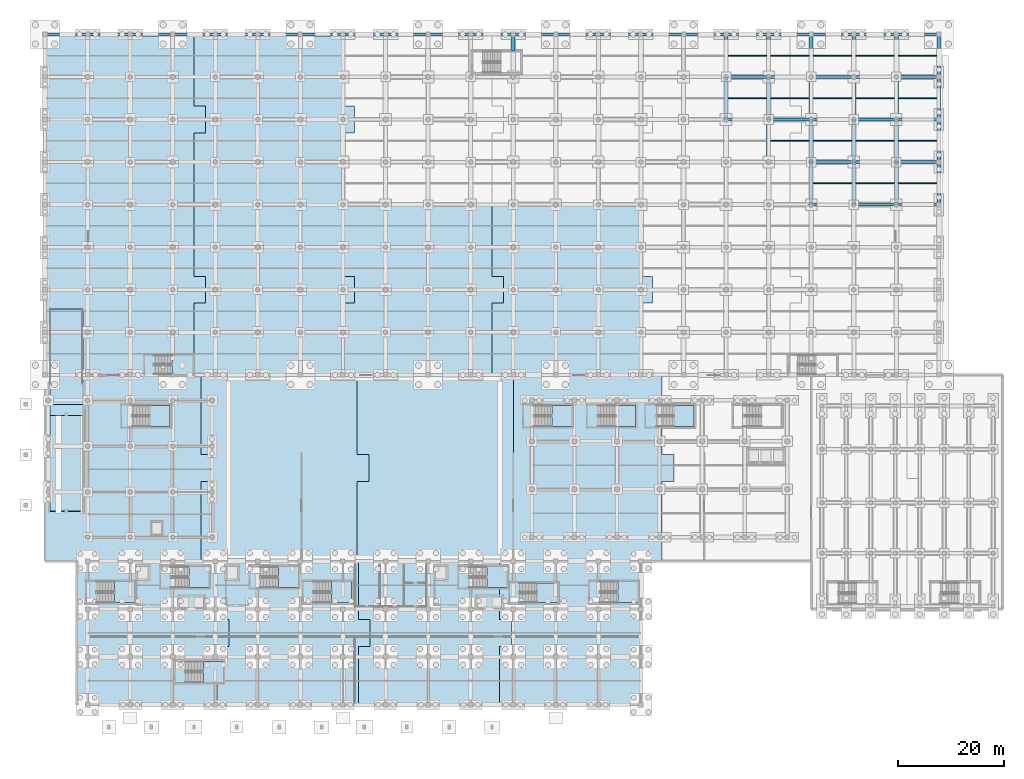
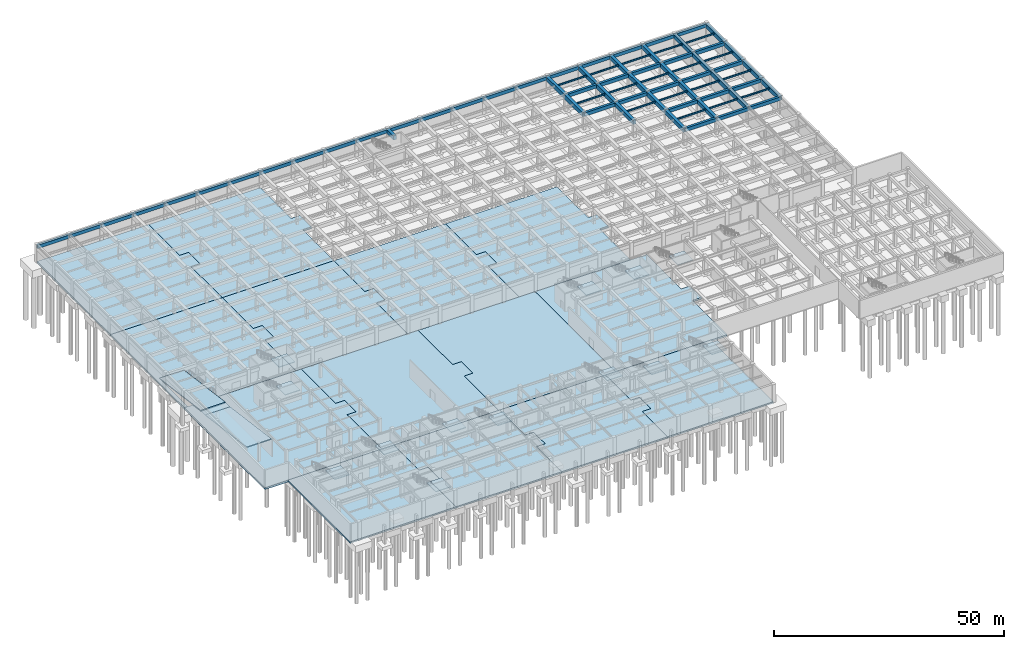
# One storey, part 23 of 48: 76 beams, 30 slabs, 13 elements without a shape of their own.
"""IFC4 building model written with IfcOpenShell, lengths in metres."""

import ifcopenshell
import ifcopenshell.guid

model = None  # the IFC model being written
_history = None  # IfcOwnerHistory: only IFC2X3 demands one
_inside = {}  # id of a spatial element -> (the spatial element, [elements in it])
_under = {}  # id of a project, library or spatial element -> (it, [spatial elements below it])
_declared = {}  # id of a project -> (the project, [libraries it declares])
_typed = {}  # id of a type object -> (the type object, [elements of that type])
_made_of = {}  # id of a material, layer set ... -> (it, [elements and type objects made of it])


def new_model(schema):
    """Start an empty IFC model of exactly this schema.

    Asked for "IFC4X3", IfcOpenShell would pick the latest addendum, in which some entities
    have other attributes; the version numbers below select the first issue.
    IFC2X3 requires an IfcOwnerHistory on every rooted entity: one is made here for all.
    """
    global model, _history
    if schema == "IFC4X3":
        model = ifcopenshell.file(schema_version=(4, 3, 0, 0))
    else:
        model = ifcopenshell.file(schema=schema)
    _inside.clear()
    _under.clear()
    _declared.clear()
    _typed.clear()
    _made_of.clear()
    _history = None
    if model.schema == "IFC2X3":
        org = make("IfcOrganization", Name="unknown")
        user = make(
            "IfcPersonAndOrganization",
            ThePerson=make("IfcPerson", FamilyName="unknown"),
            TheOrganization=org,
        )
        app = make(
            "IfcApplication",
            ApplicationDeveloper=org,
            Version="unknown",
            ApplicationFullName="unknown",
            ApplicationIdentifier="unknown",
        )
        _history = make(
            "IfcOwnerHistory",
            OwningUser=user,
            OwningApplication=app,
            ChangeAction="ADDED",
            CreationDate=0,
        )
    return model


def make(cls, **values):
    """One entity of the class cls with the attributes given. An attribute that is None is left unset."""
    return model.create_entity(
        cls, **{name: value for name, value in values.items() if value is not None}
    )


def rooted(cls, **values):
    """An entity with a GlobalId (a new one), such as an element, a storey or a relation."""
    return make(cls, GlobalId=ifcopenshell.guid.new(), OwnerHistory=_history, **values)


def si_unit(unit_type, name, prefix=None):
    """IfcSIUnit, for example si_unit("LENGTHUNIT", "METRE", prefix="MILLI")."""
    return make("IfcSIUnit", UnitType=unit_type, Prefix=prefix, Name=name)


def assignment(units):
    """IfcUnitAssignment: the units of a project."""
    return None if units is None else make("IfcUnitAssignment", Units=units)


def point(xyz):
    """IfcCartesianPoint."""
    return None if xyz is None else make("IfcCartesianPoint", Coordinates=xyz)


def direction(xyz):
    """IfcDirection."""
    return None if xyz is None else make("IfcDirection", DirectionRatios=xyz)


def frame(location, z_axis=None, x_axis=None):
    """IfcAxis2Placement3D, a coordinate frame: its origin and axes. An axis left out is left unset."""
    return make(
        "IfcAxis2Placement3D",
        Location=point(location),
        Axis=direction(z_axis),
        RefDirection=direction(x_axis),
    )


def frame_2d(location, x_axis=None):
    """IfcAxis2Placement2D, a coordinate frame in the plane: its origin and x axis."""
    return make(
        "IfcAxis2Placement2D", Location=point(location), RefDirection=direction(x_axis)
    )


def origin():
    """The frame at (0, 0, 0) with its axes left unset."""
    return frame((0.0, 0.0, 0.0))


def origin_2d():
    """The frame at (0, 0) in the plane with its x axis left unset."""
    return frame_2d((0.0, 0.0))


def place(relative_to, where):
    """IfcLocalPlacement: puts the frame where relative to a parent placement (None: the world)."""
    return make(
        "IfcLocalPlacement", PlacementRelTo=relative_to, RelativePlacement=where
    )


def context(
    kind, dimensions, precision=None, world=None, true_north=None, identifier=None
):
    """IfcGeometricRepresentationContext, for example the 3D "Model" context."""
    return make(
        "IfcGeometricRepresentationContext",
        ContextIdentifier=identifier,
        ContextType=kind,
        CoordinateSpaceDimension=dimensions,
        Precision=precision,
        WorldCoordinateSystem=world,
        TrueNorth=true_north,
    )


def subcontext(parent, identifier, kind, view, scale=None):
    """IfcGeometricRepresentationSubContext, for example "Body" below "Model"."""
    return make(
        "IfcGeometricRepresentationSubContext",
        ContextIdentifier=identifier,
        ContextType=kind,
        ParentContext=parent,
        TargetScale=scale,
        TargetView=view,
    )


def project(units=None, contexts=None):
    """IfcProject with its units and contexts."""
    return rooted(
        "IfcProject",
        Name="project",
        RepresentationContexts=contexts,
        UnitsInContext=assignment(units),
    )


def spatial(cls, under=None, at=None, **own):
    """A site, building, storey or space (cls), placed at a placement, below another one or the project."""
    s = rooted(cls, ObjectPlacement=at, **own)
    if under is not None:
        _under.setdefault(under.id(), (under, []))[1].append(s)
    return s


def polyline(points):
    """IfcPolyline through the points."""
    return make("IfcPolyline", Points=[point(p) for p in points])


def profile(cls, at=None, kind="AREA", **sizes):
    """A parametric profile (cls). Its sizes go by their IFC names, for example OverallWidth=200.0."""
    return make(cls, ProfileType=kind, Position=at, **sizes)


def rectangle(**sizes):
    """IfcRectangleProfileDef."""
    return profile("IfcRectangleProfileDef", **sizes)


def i_section(**sizes):
    """IfcIShapeProfileDef."""
    return profile("IfcIShapeProfileDef", **sizes)


def outline(outer, holes=None, kind="AREA"):
    """IfcArbitraryClosedProfileDef: a profile drawn as a closed curve; with holes, ...WithVoids."""
    if holes is None:
        return make("IfcArbitraryClosedProfileDef", ProfileType=kind, OuterCurve=outer)
    return make(
        "IfcArbitraryProfileDefWithVoids",
        ProfileType=kind,
        OuterCurve=outer,
        InnerCurves=holes,
    )


def extrude(swept, where, along, depth):
    """IfcExtrudedAreaSolid: the profile swept, set in the frame where, extruded along a direction by depth."""
    return make(
        "IfcExtrudedAreaSolid",
        SweptArea=swept,
        Position=where,
        ExtrudedDirection=direction(along),
        Depth=depth,
    )


def shape(context_of_items, identifier, shape_type, items):
    """IfcShapeRepresentation: the items that make up one representation, for example the "Body"."""
    return make(
        "IfcShapeRepresentation",
        ContextOfItems=context_of_items,
        RepresentationIdentifier=identifier,
        RepresentationType=shape_type,
        Items=items,
    )


def material(Name=None, Category=None):
    """IfcMaterial."""
    return make("IfcMaterial", Name=Name, Category=Category)


def layer(
    of_material, thickness, ventilated=None, Name=None, Category=None, Priority=None
):
    """IfcMaterialLayer: one layer of a wall or slab, of a material (None: an air gap)."""
    return make(
        "IfcMaterialLayer",
        Material=of_material,
        LayerThickness=thickness,
        IsVentilated=ventilated,
        Name=Name,
        Category=Category,
        Priority=Priority,
    )


def layer_set(layers, Name=None):
    """IfcMaterialLayerSet."""
    return make("IfcMaterialLayerSet", MaterialLayers=layers, LayerSetName=Name)


def material_profile(
    of_material, cross_section, Name=None, Category=None, Priority=None
):
    """IfcMaterialProfile: a cross section and its material."""
    return make(
        "IfcMaterialProfile",
        Name=Name,
        Material=of_material,
        Profile=cross_section,
        Priority=Priority,
        Category=Category,
    )


def profile_set(profiles, Name=None, composite=None):
    """IfcMaterialProfileSet."""
    return make(
        "IfcMaterialProfileSet",
        Name=Name,
        MaterialProfiles=profiles,
        CompositeProfile=composite,
    )


def made_of(thing, what):
    """Note that an element or type object is made of a material, layer set ...; save() writes the relation."""
    if what is not None:
        _made_of.setdefault(what.id(), (what, []))[1].append(thing)
    return thing


def type_object(cls, material=None, **own):
    """A type object (cls), such as IfcWallType, which elements share."""
    return made_of(rooted(cls, **own), material)


def element(
    cls,
    number,
    at=None,
    inside=None,
    cuts=None,
    type_object=None,
    material=None,
    context=None,
    identifier="Body",
    shape_type=None,
    held_by="IfcProductDefinitionShape",
    body=None,
    shapes=None,
    **own,
):
    """One element of the class cls, such as IfcWall. Its Tag is "e" and its number.

    at: its placement. inside: the storey or other place that contains it. cuts: it is an
    opening in that element (IfcRelVoidsElement). A single representation is given by context,
    identifier, shape_type and body (its items); several are given by shapes. held_by: the class
    of the entity that holds the representations. save() writes the other relations.
    """
    e = rooted(cls, Tag="e%d" % number, ObjectPlacement=at, **own)
    if body is not None:
        shapes = [shape(context, identifier, shape_type, body)]
    if shapes is not None:
        e.Representation = make(held_by, Representations=shapes)
    if inside is not None:
        _inside.setdefault(inside.id(), (inside, []))[1].append(e)
    if cuts is not None:
        rooted(
            "IfcRelVoidsElement", RelatingBuildingElement=cuts, RelatedOpeningElement=e
        )
    if type_object is not None:
        _typed.setdefault(type_object.id(), (type_object, []))[1].append(e)
    return made_of(e, material)


def aggregate(whole, parts):
    """IfcRelAggregates: a whole, such as a stair, and the parts it consists of."""
    return rooted("IfcRelAggregates", RelatingObject=whole, RelatedObjects=parts)


def save(model, path):
    """Write the relations noted so far, then the file.

    IfcRelAggregates (storeys below a building ...), IfcRelContainedInSpatialStructure (elements
    in a storey), IfcRelDefinesByType, IfcRelAssociatesMaterial and IfcRelDeclares: one each for
    every whole, place, type object, material and project.
    """
    for whole, parts in _under.values():
        aggregate(whole, parts)
    for where, things in _inside.values():
        rooted(
            "IfcRelContainedInSpatialStructure",
            RelatedElements=things,
            RelatingStructure=where,
        )
    for kind, things in _typed.values():
        rooted("IfcRelDefinesByType", RelatedObjects=things, RelatingType=kind)
    for what, things in _made_of.values():
        rooted("IfcRelAssociatesMaterial", RelatedObjects=things, RelatingMaterial=what)
    for by, libraries in _declared.values():
        rooted("IfcRelDeclares", RelatingContext=by, RelatedDefinitions=libraries)
    model.write(path)


model = new_model("IFC4")

# Units and contexts
model_context = context("Model", 3, precision=1e-05, world=origin(), true_north=direction((0.0, 1.0)))
body_context = subcontext(model_context, "Body", "Model", "MODEL_VIEW")
ifc_project = project(units=[si_unit("LENGTHUNIT", "METRE"), si_unit("AREAUNIT", "SQUARE_METRE"), si_unit("VOLUMEUNIT", "CUBIC_METRE"), si_unit("PLANEANGLEUNIT", "RADIAN"), si_unit("MASSUNIT", "GRAM", prefix="KILO")], contexts=[model_context])

# Site, building, storey
site_placement = place(None, origin())
site = spatial("IfcSite", under=ifc_project, at=site_placement, CompositionType="ELEMENT")
building_placement = place(site_placement, origin())
building = spatial("IfcBuilding", under=site, at=building_placement, Name="Tlacozan Convention Centre", CompositionType="ELEMENT")
storey_placement = place(building_placement, frame((0.0, 0.0, -4.800048828125)))
storey = spatial("IfcBuildingStorey", under=building, at=storey_placement, Name="B01", CompositionType="ELEMENT", Elevation=-4.800048828125)

# Beams
ifc_material_1 = material(Name="Concrete C40/50", Category="concrete")
ifc_material_profile_1 = material_profile(ifc_material_1, rectangle(XDim=0.60009765625, YDim=0.89990234375, at=origin_2d()), Name="RC 600x900")
ifc_profile_set_1 = profile_set([ifc_material_profile_1], Name="Concrete C40/50")
beam_type_1 = type_object("IfcBeamType", Name="Girder RC 600x900", PredefinedType="BEAM", material=ifc_profile_set_1)
for number, where, z_axis, x_axis, name in (
    (1, (0.0, 126.0, 3.969970703125), (1.0, 0.0, 0.0), (0.0, 1.0, 0.0), "B01 Girder RC 600x900 953"),
    (2, (8.0, 126.0, 3.969970703125), (1.0, 0.0, 0.0), (0.0, 1.0, 0.0), "B01 Girder RC 600x900 970"),
    (3, (16.0, 126.0, 3.969970703125), (1.0, 0.0, 0.0), (0.0, 1.0, 0.0), "B01 Girder RC 600x900 987"),
    (4, (24.0, 126.0, 3.969970703125), (1.0, 0.0, 0.0), (0.0, 1.0, 0.0), "B01 Girder RC 600x900 1004"),
    (5, (32.0, 126.0, 3.969970703125), (1.0, 0.0, 0.0), (0.0, 1.0, 0.0), "B01 Girder RC 600x900 1021"),
    (6, (40.0, 126.0, 3.969970703125), (1.0, 0.0, 0.0), (0.0, 1.0, 0.0), "B01 Girder RC 600x900 1038"),
    (7, (48.0, 126.0, 3.969970703125), (1.0, 0.0, 0.0), (0.0, 1.0, 0.0), "B01 Girder RC 600x900 1055"),
    (8, (56.0, 126.0, 3.969970703125), (1.0, 0.0, 0.0), (0.0, 1.0, 0.0), "B01 Girder RC 600x900 1072"),
    (9, (64.0, 126.0, 3.969970703125), (1.0, 0.0, 0.0), (0.0, 1.0, 0.0), "B01 Girder RC 600x900 1089"),
    (10, (72.0, 126.0, 3.969970703125), (1.0, 0.0, 0.0), (0.0, 1.0, 0.0), "B01 Girder RC 600x900 1106"),
    (11, (80.0, 126.0, 3.969970703125), (1.0, 0.0, 0.0), (0.0, 1.0, 0.0), "B01 Girder RC 600x900 1123"),
    (12, (88.0, 126.0, 3.969970703125), (1.0, 0.0, 0.0), (0.0, 1.0, 0.0), "B01 Girder RC 600x900 1139"),
    (13, (96.0, 126.0, 3.969970703125), (1.0, 0.0, 0.0), (0.0, 1.0, 0.0), "B01 Girder RC 600x900 1156"),
    (14, (104.0, 126.0, 3.969970703125), (1.0, 0.0, 0.0), (0.0, 1.0, 0.0), "B01 Girder RC 600x900 1173"),
    (15, (112.0, 126.0, 3.969970703125), (1.0, 0.0, 0.0), (0.0, 1.0, 0.0), "B01 Girder RC 600x900 1190"),
    (16, (120.0, 126.0, 3.969970703125), (1.0, 0.0, 0.0), (0.0, 1.0, 0.0), "B01 Girder RC 600x900 1207"),
    (17, (128.0, 110.0, 3.969970703125), (1.0, 0.0, 0.0), (0.0, 1.0, 0.0), "B01 Girder RC 600x900 1222"),
    (18, (128.0, 118.0, 3.969970703125), (1.0, 0.0, 0.0), (0.0, 1.0, 0.0), "B01 Girder RC 600x900 1223"),
    (19, (128.0, 126.0, 3.969970703125), (1.0, 0.0, 0.0), (0.0, 1.0, 0.0), "B01 Girder RC 600x900 1224"),
    (20, (136.0, 110.0, 3.969970703125), (1.0, 0.0, 0.0), (0.0, 1.0, 0.0), "B01 Girder RC 600x900 1239"),
    (21, (136.0, 118.0, 3.969970703125), (1.0, 0.0, 0.0), (0.0, 1.0, 0.0), "B01 Girder RC 600x900 1240"),
    (22, (136.0, 126.0, 3.969970703125), (1.0, 0.0, 0.0), (0.0, 1.0, 0.0), "B01 Girder RC 600x900 1241"),
    (23, (144.0, 94.0, 3.969970703125), (1.0, 0.0, 0.0), (0.0, 1.0, 0.0), "B01 Girder RC 600x900 1254"),
    (24, (144.0, 102.0, 3.969970703125), (1.0, 0.0, 0.0), (0.0, 1.0, 0.0), "B01 Girder RC 600x900 1255"),
    (25, (144.0, 110.0, 3.969970703125), (1.0, 0.0, 0.0), (0.0, 1.0, 0.0), "B01 Girder RC 600x900 1256"),
    (26, (144.0, 118.0, 3.969970703125), (1.0, 0.0, 0.0), (0.0, 1.0, 0.0), "B01 Girder RC 600x900 1257"),
    (27, (144.0, 126.0, 3.969970703125), (1.0, 0.0, 0.0), (0.0, 1.0, 0.0), "B01 Girder RC 600x900 1258"),
    (28, (152.0, 94.0, 3.969970703125), (1.0, 0.0, 0.0), (0.0, 1.0, 0.0), "B01 Girder RC 600x900 1271"),
    (29, (152.0, 102.0, 3.969970703125), (1.0, 0.0, 0.0), (0.0, 1.0, 0.0), "B01 Girder RC 600x900 1272"),
    (30, (152.0, 110.0, 3.969970703125), (1.0, 0.0, 0.0), (0.0, 1.0, 0.0), "B01 Girder RC 600x900 1273"),
    (31, (152.0, 118.0, 3.969970703125), (1.0, 0.0, 0.0), (0.0, 1.0, 0.0), "B01 Girder RC 600x900 1274"),
    (32, (152.0, 126.0, 3.969970703125), (1.0, 0.0, 0.0), (0.0, 1.0, 0.0), "B01 Girder RC 600x900 1275"),
    (33, (160.0, 94.0, 3.969970703125), (1.0, 0.0, 0.0), (0.0, 1.0, 0.0), "B01 Girder RC 600x900 1288"),
    (34, (160.0, 102.0, 3.969970703125), (1.0, 0.0, 0.0), (0.0, 1.0, 0.0), "B01 Girder RC 600x900 1289"),
    (35, (160.0, 110.0, 3.969970703125), (1.0, 0.0, 0.0), (0.0, 1.0, 0.0), "B01 Girder RC 600x900 1290"),
    (36, (160.0, 118.0, 3.969970703125), (1.0, 0.0, 0.0), (0.0, 1.0, 0.0), "B01 Girder RC 600x900 1291"),
    (37, (160.0, 126.0, 3.969970703125), (1.0, 0.0, 0.0), (0.0, 1.0, 0.0), "B01 Girder RC 600x900 1292"),
):
    element("IfcBeam", number, at=place(storey_placement, frame(where, z_axis=z_axis, x_axis=x_axis)), inside=storey, type_object=beam_type_1, Name=name, PredefinedType="BEAM", context=body_context, shape_type="SweptSolid", body=[
        extrude(rectangle(XDim=0.60009765625, YDim=0.89990234375, at=origin_2d()), origin(), (0.0, 0.0, 1.0), 8.0),
    ])
ifc_material_profile_2 = material_profile(ifc_material_1, rectangle(XDim=0.75, YDim=1.10009765625, at=origin_2d()), Name="RC 750x1100")
ifc_profile_set_2 = profile_set([ifc_material_profile_2], Name="Concrete C40/50")
beam_type_2 = type_object("IfcBeamType", Name="Girder RC 750x1100", PredefinedType="BEAM", material=ifc_profile_set_2)
beam_placement = place(storey_placement, frame((88.0, 122.919921875, 3.8701171875), z_axis=(0.0, 1.0, 0.0), x_axis=(-1.0, 0.0, 0.0)))
element("IfcBeam", 38, at=beam_placement, inside=storey, type_object=beam_type_2, Name="B01 Girder RC 750x1100 864", PredefinedType="BEAM", context=body_context, shape_type="SweptSolid", body=[
    extrude(rectangle(XDim=0.75, YDim=1.10009765625, at=origin_2d()), origin(), (0.0, 0.0, 1.0), 3.080078125),
])
for number, where, z_axis, x_axis, name in (
    (39, (128.0, 110.0, 3.8701171875), (0.0, 1.0, 0.0), (-1.0, 0.0, 0.0), "B01 Girder RC 750x1100 903"),
    (40, (128.0, 118.0, 3.8701171875), (0.0, 1.0, 0.0), (-1.0, 0.0, 0.0), "B01 Girder RC 750x1100 904"),
    (41, (136.0, 102.0, 3.8701171875), (0.0, 1.0, 0.0), (-1.0, 0.0, 0.0), "B01 Girder RC 750x1100 910"),
    (42, (136.0, 110.0, 3.8701171875), (0.0, 1.0, 0.0), (-1.0, 0.0, 0.0), "B01 Girder RC 750x1100 911"),
    (43, (136.0, 118.0, 3.8701171875), (0.0, 1.0, 0.0), (-1.0, 0.0, 0.0), "B01 Girder RC 750x1100 912"),
    (44, (144.0, 94.0, 3.8701171875), (0.0, 1.0, 0.0), (-1.0, 0.0, 0.0), "B01 Girder RC 750x1100 917"),
    (45, (144.0, 102.0, 3.8701171875), (0.0, 1.0, 0.0), (-1.0, 0.0, 0.0), "B01 Girder RC 750x1100 918"),
    (46, (144.0, 110.0, 3.8701171875), (0.0, 1.0, 0.0), (-1.0, 0.0, 0.0), "B01 Girder RC 750x1100 919"),
    (47, (144.0, 118.0, 3.8701171875), (0.0, 1.0, 0.0), (-1.0, 0.0, 0.0), "B01 Girder RC 750x1100 920"),
    (48, (152.0, 94.0, 3.8701171875), (0.0, 1.0, 0.0), (-1.0, 0.0, 0.0), "B01 Girder RC 750x1100 925"),
    (49, (152.0, 102.0, 3.8701171875), (0.0, 1.0, 0.0), (-1.0, 0.0, 0.0), "B01 Girder RC 750x1100 926"),
    (50, (152.0, 110.0, 3.8701171875), (0.0, 1.0, 0.0), (-1.0, 0.0, 0.0), "B01 Girder RC 750x1100 927"),
    (51, (152.0, 118.0, 3.8701171875), (0.0, 1.0, 0.0), (-1.0, 0.0, 0.0), "B01 Girder RC 750x1100 928"),
    (52, (160.0, 94.0, 3.8701171875), (0.0, 1.0, 0.0), (-1.0, 0.0, 0.0), "B01 Girder RC 750x1100 933"),
    (53, (160.0, 102.0, 3.8701171875), (0.0, 1.0, 0.0), (-1.0, 0.0, 0.0), "B01 Girder RC 750x1100 934"),
    (54, (160.0, 110.0, 3.8701171875), (0.0, 1.0, 0.0), (-1.0, 0.0, 0.0), "B01 Girder RC 750x1100 935"),
    (55, (160.0, 118.0, 3.8701171875), (0.0, 1.0, 0.0), (-1.0, 0.0, 0.0), "B01 Girder RC 750x1100 936"),
    (56, (168.0, 94.0, 3.8701171875), (0.0, 1.0, 0.0), (-1.0, 0.0, 0.0), "B01 Girder RC 750x1100 941"),
    (57, (168.0, 102.0, 3.8701171875), (0.0, 1.0, 0.0), (-1.0, 0.0, 0.0), "B01 Girder RC 750x1100 942"),
    (58, (168.0, 110.0, 3.8701171875), (0.0, 1.0, 0.0), (-1.0, 0.0, 0.0), "B01 Girder RC 750x1100 943"),
    (59, (168.0, 118.0, 3.8701171875), (0.0, 1.0, 0.0), (-1.0, 0.0, 0.0), "B01 Girder RC 750x1100 944"),
):
    element("IfcBeam", number, at=place(storey_placement, frame(where, z_axis=z_axis, x_axis=x_axis)), inside=storey, type_object=beam_type_2, Name=name, PredefinedType="BEAM", context=body_context, shape_type="SweptSolid", body=[
        extrude(rectangle(XDim=0.75, YDim=1.10009765625, at=origin_2d()), origin(), (0.0, 0.0, 1.0), 8.0),
    ])
ifc_material_2 = material(Name="Steel ASTM A992 Grade 50", Category="steel")
ifc_material_profile_3 = material_profile(ifc_material_2, i_section(OverallWidth=0.19189453125, OverallDepth=0.462890625, WebThickness=0.010498046875, FlangeThickness=0.017578125, FilletRadius=0.010986328125, at=origin_2d()), Name="IR 457x89.3")
ifc_profile_set_3 = profile_set([ifc_material_profile_3], Name="Steel ASTM A992 Grade 50")
beam_type_3 = type_object("IfcBeamType", Name="Secondary Joist IR 457x89.3", PredefinedType="JOIST", material=ifc_profile_set_3)
for number, where, z_axis, x_axis, name in (
    (60, (128.373046875, 114.0, 4.1884765625), (1.0, 0.0, 0.0), (0.0, 1.0, 0.0), "B01 Secondary Joist IR 457x89.3 1231"),
    (61, (128.373046875, 122.0, 4.1884765625), (1.0, 0.0, 0.0), (0.0, 1.0, 0.0), "B01 Secondary Joist IR 457x89.3 1232"),
    (62, (136.373046875, 106.0, 4.1884765625), (1.0, 0.0, 0.0), (0.0, 1.0, 0.0), "B01 Secondary Joist IR 457x89.3 1247"),
    (63, (136.373046875, 114.0, 4.1884765625), (1.0, 0.0, 0.0), (0.0, 1.0, 0.0), "B01 Secondary Joist IR 457x89.3 1248"),
    (64, (136.373046875, 122.0, 4.1884765625), (1.0, 0.0, 0.0), (0.0, 1.0, 0.0), "B01 Secondary Joist IR 457x89.3 1249"),
    (65, (144.373046875, 98.0, 4.1884765625), (1.0, 0.0, 0.0), (0.0, 1.0, 0.0), "B01 Secondary Joist IR 457x89.3 1263"),
    (66, (144.373046875, 106.0, 4.1884765625), (1.0, 0.0, 0.0), (0.0, 1.0, 0.0), "B01 Secondary Joist IR 457x89.3 1264"),
    (67, (144.373046875, 114.0, 4.1884765625), (1.0, 0.0, 0.0), (0.0, 1.0, 0.0), "B01 Secondary Joist IR 457x89.3 1265"),
    (68, (144.373046875, 122.0, 4.1884765625), (1.0, 0.0, 0.0), (0.0, 1.0, 0.0), "B01 Secondary Joist IR 457x89.3 1266"),
    (69, (152.373046875, 98.0, 4.1884765625), (1.0, 0.0, 0.0), (0.0, 1.0, 0.0), "B01 Secondary Joist IR 457x89.3 1280"),
    (70, (152.373046875, 106.0, 4.1884765625), (1.0, 0.0, 0.0), (0.0, 1.0, 0.0), "B01 Secondary Joist IR 457x89.3 1281"),
    (71, (152.373046875, 114.0, 4.1884765625), (1.0, 0.0, 0.0), (0.0, 1.0, 0.0), "B01 Secondary Joist IR 457x89.3 1282"),
    (72, (152.373046875, 122.0, 4.1884765625), (1.0, 0.0, 0.0), (0.0, 1.0, 0.0), "B01 Secondary Joist IR 457x89.3 1283"),
    (73, (160.373046875, 98.0, 4.1884765625), (1.0, 0.0, 0.0), (0.0, 1.0, 0.0), "B01 Secondary Joist IR 457x89.3 1297"),
    (74, (160.373046875, 106.0, 4.1884765625), (1.0, 0.0, 0.0), (0.0, 1.0, 0.0), "B01 Secondary Joist IR 457x89.3 1298"),
    (75, (160.373046875, 114.0, 4.1884765625), (1.0, 0.0, 0.0), (0.0, 1.0, 0.0), "B01 Secondary Joist IR 457x89.3 1299"),
    (76, (160.373046875, 122.0, 4.1884765625), (1.0, 0.0, 0.0), (0.0, 1.0, 0.0), "B01 Secondary Joist IR 457x89.3 1300"),
):
    element("IfcBeam", number, at=place(storey_placement, frame(where, z_axis=z_axis, x_axis=x_axis)), inside=storey, type_object=beam_type_3, Name=name, PredefinedType="JOIST", context=body_context, shape_type="SweptSolid", body=[
        extrude(i_section(OverallWidth=0.19189453125, OverallDepth=0.462890625, WebThickness=0.010498046875, FlangeThickness=0.017578125, FilletRadius=0.010986328125, at=origin_2d()), origin(), (0.0, 0.0, 1.0), 7.25390625),
    ])

# Slabs
ifc_material_3 = material(Name="Concrete C35/45", Category="concrete")
ifc_layer_1 = layer(ifc_material_3, 0.449951171875)
ifc_layer_set_1 = layer_set([ifc_layer_1], Name="Concrete C35/45")
slab_type_1 = type_object("IfcSlabType", Name="Basement Base Slab 450", PredefinedType="BASESLAB", material=ifc_layer_set_1)
slab_1_placement = place(storey_placement, frame((0.0, 0.0, -0.449951171875)))
element("IfcSlab", 77, at=slab_1_placement, inside=storey, type_object=slab_type_1, Name="B01 Basement Base Slab 450 1", PredefinedType="BASESLAB", context=body_context, shape_type="SweptSolid", body=[
    extrude(outline(polyline([(5.800048828125, 0.0), (5.800048828125, 27.0), (32.35009765625, 27.0), (32.35009765625, 16.0), (34.550048828125, 16.0), (34.550048828125, 11.0), (32.35009765625, 11.0), (32.35009765625, 0.0), (5.800048828125, 0.0)])), origin(), (0.0, 0.0, 1.0), 0.449951171875),
])
slab_2_placement = place(storey_placement, frame((0.0, 0.0, -0.449951171875)))
element("IfcSlab", 78, at=slab_2_placement, inside=storey, type_object=slab_type_1, Name="B01 Basement Base Slab 450 2", PredefinedType="BASESLAB", context=body_context, shape_type="SweptSolid", body=[
    extrude(outline(polyline([(32.35009765625, 11.0), (34.550048828125, 11.0), (34.550048828125, 16.0), (32.35009765625, 16.0), (32.35009765625, 27.0), (58.89990234375, 27.0), (58.89990234375, 16.0), (61.10009765625, 16.0), (61.10009765625, 11.0), (58.89990234375, 11.0), (58.89990234375, 0.0), (32.35009765625, 0.0), (32.35009765625, 11.0)])), origin(), (0.0, 0.0, 1.0), 0.449951171875),
])
slab_3_placement = place(storey_placement, frame((0.0, 0.0, -0.449951171875)))
element("IfcSlab", 79, at=slab_3_placement, inside=storey, type_object=slab_type_1, Name="B01 Basement Base Slab 450 3", PredefinedType="BASESLAB", context=body_context, shape_type="SweptSolid", body=[
    extrude(outline(polyline([(58.89990234375, 11.0), (61.10009765625, 11.0), (61.10009765625, 16.0), (58.89990234375, 16.0), (58.89990234375, 27.0), (85.449951171875, 27.0), (85.449951171875, 16.0), (87.64990234375, 16.0), (87.64990234375, 11.0), (85.449951171875, 11.0), (85.449951171875, 0.0), (58.89990234375, 0.0), (58.89990234375, 11.0)])), origin(), (0.0, 0.0, 1.0), 0.449951171875),
])
slab_4_placement = place(storey_placement, frame((0.0, 0.0, -0.449951171875)))
element("IfcSlab", 80, at=slab_4_placement, inside=storey, type_object=slab_type_1, Name="B01 Basement Base Slab 450 4", PredefinedType="BASESLAB", context=body_context, shape_type="SweptSolid", body=[
    extrude(outline(polyline([(112.0, 27.0), (112.0, 0.0), (85.449951171875, 0.0), (85.449951171875, 11.0), (87.64990234375, 11.0), (87.64990234375, 16.0), (85.449951171875, 16.0), (85.449951171875, 27.0), (112.0, 27.0)])), origin(), (0.0, 0.0, 1.0), 0.449951171875),
])
slab_5_placement = place(storey_placement, frame((0.0, 0.0, -0.449951171875)))
element("IfcSlab", 81, at=slab_5_placement, inside=storey, type_object=slab_type_1, Name="B01 Basement Base Slab 450 20", PredefinedType="BASESLAB", context=body_context, shape_type="SweptSolid", body=[
    extrude(outline(polyline([(88.0, 27.0), (88.0, 62.0), (116.0, 62.0), (116.0, 47.0), (118.199951171875, 47.0), (118.199951171875, 42.0), (116.0, 42.0), (116.0, 27.0), (88.0, 27.0)])), origin(), (0.0, 0.0, 1.0), 0.449951171875),
])
ifc_layer_2 = layer(ifc_material_3, 0.52001953125)
ifc_layer_set_2 = layer_set([ifc_layer_2], Name="Concrete C35/45")
slab_type_2 = type_object("IfcSlabType", Name="Basement Cistern Base Slab 520", PredefinedType="BASESLAB", material=ifc_layer_set_2)
slab_6_placement = place(storey_placement, frame((0.0, 0.0, -0.52001953125)))
element("IfcSlab", 82, at=slab_6_placement, inside=storey, type_object=slab_type_2, Name="B01 Basement Cistern Base Slab 520 17", PredefinedType="BASESLAB", context=body_context, shape_type="SweptSolid", body=[
    extrude(outline(polyline([(0.0, 27.0), (0.0, 62.0), (0.8798828125, 62.0), (0.8798828125, 61.949951171875), (7.1201171875, 61.949951171875), (7.1201171875, 62.0), (29.333251953125, 62.0), (29.333251953125, 47.0), (31.533203125, 47.0), (31.533203125, 42.0), (29.333251953125, 42.0), (29.333251953125, 27.0), (0.0, 27.0)])), origin(), (0.0, 0.0, 1.0), 0.52001953125),
])
slab_7_placement = place(storey_placement, frame((0.0, 0.0, -0.52001953125)))
element("IfcSlab", 83, at=slab_7_placement, inside=storey, type_object=slab_type_2, Name="B01 Basement Cistern Base Slab 520 18", PredefinedType="BASESLAB", context=body_context, shape_type="SweptSolid", body=[
    extrude(outline(polyline([(29.333251953125, 42.0), (31.533203125, 42.0), (31.533203125, 47.0), (29.333251953125, 47.0), (29.333251953125, 62.0), (58.666748046875, 62.0), (58.666748046875, 47.0), (60.86669921875, 47.0), (60.86669921875, 42.0), (58.666748046875, 42.0), (58.666748046875, 27.0), (29.333251953125, 27.0), (29.333251953125, 42.0)])), origin(), (0.0, 0.0, 1.0), 0.52001953125),
])
slab_8_placement = place(storey_placement, frame((0.0, 0.0, -0.52001953125)))
element("IfcSlab", 84, at=slab_8_placement, inside=storey, type_object=slab_type_2, Name="B01 Basement Cistern Base Slab 520 19", PredefinedType="BASESLAB", context=body_context, shape_type="SweptSolid", body=[
    extrude(outline(polyline([(88.0, 62.0), (88.0, 27.0), (58.666748046875, 27.0), (58.666748046875, 42.0), (60.86669921875, 42.0), (60.86669921875, 47.0), (58.666748046875, 47.0), (58.666748046875, 62.0), (88.0, 62.0)])), origin(), (0.0, 0.0, 1.0), 0.52001953125),
])
ifc_layer_3 = layer(ifc_material_3, 0.489990234375)
ifc_layer_set_3 = layer_set([ifc_layer_3], Name="Concrete C35/45")
slab_type_3 = type_object("IfcSlabType", Name="Basement Heavy Vault Base Slab 490", PredefinedType="BASESLAB", material=ifc_layer_set_3)
slab_9_placement = place(storey_placement, frame((0.0, 0.0, -0.489990234375)))
element("IfcSlab", 85, at=slab_9_placement, inside=storey, type_object=slab_type_3, Name="B01 Basement Heavy Vault Base Slab 490 5", PredefinedType="BASESLAB", context=body_context, shape_type="SweptSolid", body=[
    extrude(outline(polyline([(7.1201171875, 62.0), (7.1201171875, 74.35009765625), (0.8798828125, 74.35009765625), (0.8798828125, 62.0), (0.0, 62.0), (0.0, 94.0), (28.0, 94.0), (28.0, 80.5), (30.199951171875, 80.5), (30.199951171875, 75.5), (28.0, 75.5), (28.0, 62.0), (7.1201171875, 62.0)])), origin(), (0.0, 0.0, 1.0), 0.489990234375),
])
slab_10_placement = place(storey_placement, frame((0.0, 0.0, -0.489990234375)))
element("IfcSlab", 86, at=slab_10_placement, inside=storey, type_object=slab_type_3, Name="B01 Basement Heavy Vault Base Slab 490 6", PredefinedType="BASESLAB", context=body_context, shape_type="SweptSolid", body=[
    extrude(outline(polyline([(0.0, 94.0), (0.0, 126.0), (28.0, 126.0), (28.0, 112.5), (30.199951171875, 112.5), (30.199951171875, 107.5), (28.0, 107.5), (28.0, 94.0), (0.0, 94.0)])), origin(), (0.0, 0.0, 1.0), 0.489990234375),
])
slab_11_placement = place(storey_placement, frame((0.0, 0.0, -0.489990234375)))
element("IfcSlab", 87, at=slab_11_placement, inside=storey, type_object=slab_type_3, Name="B01 Basement Heavy Vault Base Slab 490 7", PredefinedType="BASESLAB", context=body_context, shape_type="SweptSolid", body=[
    extrude(outline(polyline([(28.0, 75.5), (30.199951171875, 75.5), (30.199951171875, 80.5), (28.0, 80.5), (28.0, 94.0), (56.0, 94.0), (56.0, 80.5), (58.199951171875, 80.5), (58.199951171875, 75.5), (56.0, 75.5), (56.0, 62.0), (28.0, 62.0), (28.0, 75.5)])), origin(), (0.0, 0.0, 1.0), 0.489990234375),
])
slab_12_placement = place(storey_placement, frame((0.0, 0.0, -0.489990234375)))
element("IfcSlab", 88, at=slab_12_placement, inside=storey, type_object=slab_type_3, Name="B01 Basement Heavy Vault Base Slab 490 8", PredefinedType="BASESLAB", context=body_context, shape_type="SweptSolid", body=[
    extrude(outline(polyline([(28.0, 107.5), (30.199951171875, 107.5), (30.199951171875, 112.5), (28.0, 112.5), (28.0, 126.0), (56.0, 126.0), (56.0, 112.5), (58.199951171875, 112.5), (58.199951171875, 107.5), (56.0, 107.5), (56.0, 94.0), (28.0, 94.0), (28.0, 107.5)])), origin(), (0.0, 0.0, 1.0), 0.489990234375),
])
slab_13_placement = place(storey_placement, frame((0.0, 0.0, -0.489990234375)))
element("IfcSlab", 89, at=slab_13_placement, inside=storey, type_object=slab_type_3, Name="B01 Basement Heavy Vault Base Slab 490 9", PredefinedType="BASESLAB", context=body_context, shape_type="SweptSolid", body=[
    extrude(outline(polyline([(56.0, 75.5), (58.199951171875, 75.5), (58.199951171875, 80.5), (56.0, 80.5), (56.0, 94.0), (84.0, 94.0), (84.0, 80.5), (86.199951171875, 80.5), (86.199951171875, 75.5), (84.0, 75.5), (84.0, 62.0), (56.0, 62.0), (56.0, 75.5)])), origin(), (0.0, 0.0, 1.0), 0.489990234375),
])
slab_14_placement = place(storey_placement, frame((0.0, 0.0, -0.489990234375)))
element("IfcSlab", 90, at=slab_14_placement, inside=storey, type_object=slab_type_3, Name="B01 Basement Heavy Vault Base Slab 490 11", PredefinedType="BASESLAB", context=body_context, shape_type="SweptSolid", body=[
    extrude(outline(polyline([(84.0, 75.5), (86.199951171875, 75.5), (86.199951171875, 80.5), (84.0, 80.5), (84.0, 94.0), (112.0, 94.0), (112.0, 80.5), (114.199951171875, 80.5), (114.199951171875, 75.5), (112.0, 75.5), (112.0, 62.0), (84.0, 62.0), (84.0, 75.5)])), origin(), (0.0, 0.0, 1.0), 0.489990234375),
])
ifc_layer_4 = layer(ifc_material_1, 0.25)
ifc_layer_set_4 = layer_set([ifc_layer_4], Name="Concrete C40/50")
slab_type_4 = type_object("IfcSlabType", Name="Ramp Mid Landing Slab 250", PredefinedType="LANDING", material=ifc_layer_set_4)
slab_15_placement = place(storey_placement, frame((0.0, 0.0, 2.150146484375)))
element("IfcSlab", 91, at=slab_15_placement, inside=storey, type_object=slab_type_4, Name="Car Park Vehicle Ramp Mid Landing", PredefinedType="LANDING", context=body_context, shape_type="SweptSolid", body=[
    extrude(outline(polyline([(0.89990234375, 54.39990234375), (7.10009765625, 54.39990234375), (7.10009765625, 56.39990234375), (0.89990234375, 56.39990234375), (0.89990234375, 54.39990234375)])), origin(), (0.0, 0.0, 1.0), 0.25),
])

# Stair, slab
stair_type_1 = type_object("IfcStairType", Name="Protected Dogleg Stair W188 H48", PredefinedType="HALF_TURN_STAIR", material=ifc_material_1)
stair_1_placement = place(storey_placement, origin())
stair_1 = element("IfcStair", 92, at=stair_1_placement, inside=storey, type_object=stair_type_1, Name="B01 West Congress Core Stair ST-01", PredefinedType="HALF_TURN_STAIR")
ifc_layer_5 = layer(ifc_material_1, 0.199951171875)
ifc_layer_set_5 = layer_set([ifc_layer_5], Name="Concrete C40/50")
slab_type_5 = type_object("IfcSlabType", Name="Stair Half Landing Slab 200", PredefinedType="LANDING", material=ifc_layer_set_5)
slab_16_placement = place(storey_placement, frame((0.0, 0.0, 2.199951171875)))
slab_16 = element("IfcSlab", 93, at=slab_16_placement, type_object=slab_type_5, Name="ST-01 landing 1", PredefinedType="LANDING", context=body_context, shape_type="SweptSolid", body=[
    extrude(outline(polyline([(27.0400390625, 22.0), (30.800048828125, 22.0), (30.800048828125, 25.9599609375), (27.0400390625, 25.9599609375), (27.0400390625, 22.0)])), origin(), (0.0, 0.0, 1.0), 0.2001953125),
])
aggregate(stair_1, [slab_16])

stair_2_placement = place(storey_placement, origin())
stair_2 = element("IfcStair", 94, at=stair_2_placement, inside=storey, type_object=stair_type_1, Name="B01 East Congress Core Stair ST-02", PredefinedType="HALF_TURN_STAIR")
slab_17_placement = place(storey_placement, frame((0.0, 0.0, 2.199951171875)))
slab_17 = element("IfcSlab", 95, at=slab_17_placement, type_object=slab_type_5, Name="ST-02 landing 1", PredefinedType="LANDING", context=body_context, shape_type="SweptSolid", body=[
    extrude(outline(polyline([(83.0400390625, 22.0), (86.800048828125, 22.0), (86.800048828125, 25.9599609375), (83.0400390625, 25.9599609375), (83.0400390625, 22.0)])), origin(), (0.0, 0.0, 1.0), 0.2001953125),
])
aggregate(stair_2, [slab_17])

stair_3_placement = place(storey_placement, origin())
stair_3 = element("IfcStair", 96, at=stair_3_placement, inside=storey, type_object=stair_type_1, Name="B01 Central Congress Core Stair ST-04", PredefinedType="HALF_TURN_STAIR")
slab_18_placement = place(storey_placement, frame((0.0, 0.0, 2.199951171875)))
slab_18 = element("IfcSlab", 97, at=slab_18_placement, type_object=slab_type_5, Name="ST-04 landing 1", PredefinedType="LANDING", context=body_context, shape_type="SweptSolid", body=[
    extrude(outline(polyline([(43.840087890625, 22.0), (47.60009765625, 22.0), (47.60009765625, 25.9599609375), (43.840087890625, 25.9599609375), (43.840087890625, 22.0)])), origin(), (0.0, 0.0, 1.0), 0.2001953125),
])
aggregate(stair_3, [slab_18])

stair_4_placement = place(storey_placement, origin())
stair_4 = element("IfcStair", 98, at=stair_4_placement, inside=storey, type_object=stair_type_1, Name="B01 East Congress Stair", PredefinedType="HALF_TURN_STAIR")
slab_19_placement = place(storey_placement, frame((0.0, 0.0, 2.199951171875)))
slab_19 = element("IfcSlab", 99, at=slab_19_placement, type_object=slab_type_5, Name="ST-05 landing 1", PredefinedType="LANDING", context=body_context, shape_type="SweptSolid", body=[
    extrude(outline(polyline([(107.639892578125, 19.199951171875), (111.39990234375, 19.199951171875), (111.39990234375, 23.159912109375), (107.639892578125, 23.159912109375), (107.639892578125, 19.199951171875)])), origin(), (0.0, 0.0, 1.0), 0.2001953125),
])
aggregate(stair_4, [slab_19])

stair_5_placement = place(storey_placement, origin())
stair_5 = element("IfcStair", 100, at=stair_5_placement, inside=storey, type_object=stair_type_1, Name="B01 West Belvedere Congress Stair", PredefinedType="HALF_TURN_STAIR")
slab_20_placement = place(storey_placement, frame((0.0, 0.0, 2.199951171875)))
slab_20 = element("IfcSlab", 101, at=slab_20_placement, type_object=slab_type_5, Name="ST-13 landing 1", PredefinedType="LANDING", context=body_context, shape_type="SweptSolid", body=[
    extrude(outline(polyline([(13.0400390625, 19.199951171875), (16.800048828125, 19.199951171875), (16.800048828125, 23.159912109375), (13.0400390625, 23.159912109375), (13.0400390625, 19.199951171875)])), origin(), (0.0, 0.0, 1.0), 0.2001953125),
])
aggregate(stair_5, [slab_20])

stair_6_placement = place(storey_placement, origin())
stair_6 = element("IfcStair", 102, at=stair_6_placement, inside=storey, type_object=stair_type_1, Name="B01 Central Promenade Congress Stair", PredefinedType="HALF_TURN_STAIR")
slab_21_placement = place(storey_placement, frame((0.0, 0.0, 2.199951171875)))
slab_21 = element("IfcSlab", 103, at=slab_21_placement, type_object=slab_type_5, Name="ST-14 landing 1", PredefinedType="LANDING", context=body_context, shape_type="SweptSolid", body=[
    extrude(outline(polyline([(53.840087890625, 19.199951171875), (57.60009765625, 19.199951171875), (57.60009765625, 23.159912109375), (53.840087890625, 23.159912109375), (53.840087890625, 19.199951171875)])), origin(), (0.0, 0.0, 1.0), 0.2001953125),
])
aggregate(stair_6, [slab_21])

stair_type_2 = type_object("IfcStairType", Name="Protected Dogleg Stair W175 H48", PredefinedType="HALF_TURN_STAIR", material=ifc_material_1)
stair_7_placement = place(storey_placement, origin())
stair_7 = element("IfcStair", 104, at=stair_7_placement, inside=storey, type_object=stair_type_2, Name="B01 East Belvedere Congress Stair", PredefinedType="HALF_TURN_STAIR")
slab_22_placement = place(storey_placement, frame((0.0, 0.0, 2.199951171875)))
slab_22 = element("IfcSlab", 105, at=slab_22_placement, type_object=slab_type_5, Name="ST-15 landing 1", PredefinedType="LANDING", context=body_context, shape_type="SweptSolid", body=[
    extrude(outline(polyline([(92.510009765625, 19.199951171875), (96.39990234375, 19.199951171875), (96.39990234375, 22.89990234375), (92.510009765625, 22.89990234375), (92.510009765625, 19.199951171875)])), origin(), (0.0, 0.0, 1.0), 0.2001953125),
])
aggregate(stair_7, [slab_22])

stair_8_placement = place(storey_placement, origin())
stair_8 = element("IfcStair", 106, at=stair_8_placement, inside=storey, type_object=stair_type_1, Name="B01 West Concourse Grand Stair", PredefinedType="HALF_TURN_STAIR")
slab_23_placement = place(storey_placement, frame((0.0, 0.0, 2.199951171875)))
slab_23 = element("IfcSlab", 107, at=slab_23_placement, type_object=slab_type_5, Name="ST-16 landing 1", PredefinedType="LANDING", context=body_context, shape_type="SweptSolid", body=[
    extrude(outline(polyline([(29.739990234375, 4.199951171875), (33.5, 4.199951171875), (33.5, 8.159912109375), (29.739990234375, 8.159912109375), (29.739990234375, 4.199951171875)])), origin(), (0.0, 0.0, 1.0), 0.2001953125),
])
aggregate(stair_8, [slab_23])

stair_9_placement = place(storey_placement, origin())
stair_9 = element("IfcStair", 108, at=stair_9_placement, inside=storey, type_object=stair_type_1, Name="B01 Ballroom West Stair", PredefinedType="HALF_TURN_STAIR")
slab_24_placement = place(storey_placement, frame((0.0, 0.0, 2.199951171875)))
slab_24 = element("IfcSlab", 109, at=slab_24_placement, type_object=slab_type_5, Name="ST-06 landing 1", PredefinedType="LANDING", context=body_context, shape_type="SweptSolid", body=[
    extrude(outline(polyline([(95.239990234375, 52.300048828125), (99.0, 52.300048828125), (99.0, 56.260009765625), (95.239990234375, 56.260009765625), (95.239990234375, 52.300048828125)])), origin(), (0.0, 0.0, 1.0), 0.2001953125),
])
aggregate(stair_9, [slab_24])

stair_10_placement = place(storey_placement, origin())
stair_10 = element("IfcStair", 110, at=stair_10_placement, inside=storey, type_object=stair_type_1, Name="B01 Ballroom Courtyard Stair", PredefinedType="HALF_TURN_STAIR")
slab_25_placement = place(storey_placement, frame((0.0, 0.0, 2.199951171875)))
slab_25 = element("IfcSlab", 111, at=slab_25_placement, type_object=slab_type_5, Name="ST-17 landing 1", PredefinedType="LANDING", context=body_context, shape_type="SweptSolid", body=[
    extrude(outline(polyline([(107.239990234375, 52.300048828125), (111.0, 52.300048828125), (111.0, 56.260009765625), (107.239990234375, 56.260009765625), (107.239990234375, 52.300048828125)])), origin(), (0.0, 0.0, 1.0), 0.2001953125),
])
aggregate(stair_10, [slab_25])

stair_11_placement = place(storey_placement, origin())
stair_11 = element("IfcStair", 112, at=stair_11_placement, inside=storey, type_object=stair_type_1, Name="B01 Ballroom East Terrace Stair", PredefinedType="HALF_TURN_STAIR")
slab_26_placement = place(storey_placement, frame((0.0, 0.0, 2.199951171875)))
slab_26 = element("IfcSlab", 113, at=slab_26_placement, type_object=slab_type_5, Name="ST-18 landing 1", PredefinedType="LANDING", context=body_context, shape_type="SweptSolid", body=[
    extrude(outline(polyline([(118.239990234375, 52.300048828125), (122.0, 52.300048828125), (122.0, 56.260009765625), (118.239990234375, 56.260009765625), (118.239990234375, 52.300048828125)])), origin(), (0.0, 0.0, 1.0), 0.2001953125),
])
aggregate(stair_11, [slab_26])

stair_12_placement = place(storey_placement, origin())
stair_12 = element("IfcStair", 114, at=stair_12_placement, inside=storey, type_object=stair_type_1, Name="B01 Service Wing Stair", PredefinedType="HALF_TURN_STAIR")
slab_27_placement = place(storey_placement, frame((0.0, 0.0, 2.199951171875)))
slab_27 = element("IfcSlab", 115, at=slab_27_placement, type_object=slab_type_5, Name="ST-09 landing 1", PredefinedType="LANDING", context=body_context, shape_type="SweptSolid", body=[
    extrude(outline(polyline([(19.739990234375, 52.300048828125), (23.5, 52.300048828125), (23.5, 56.260009765625), (19.739990234375, 56.260009765625), (19.739990234375, 52.300048828125)])), origin(), (0.0, 0.0, 1.0), 0.2001953125),
])
aggregate(stair_12, [slab_27])

stair_type_3 = type_object("IfcStairType", Name="Protected Dogleg Stair W170 H48", PredefinedType="HALF_TURN_STAIR", material=ifc_material_1)
stair_13_placement = place(storey_placement, origin())
stair_13 = element("IfcStair", 116, at=stair_13_placement, inside=storey, type_object=stair_type_3, Name="B01 Exhibition West Stair", PredefinedType="HALF_TURN_STAIR")
slab_28_placement = place(storey_placement, frame((0.0, 0.0, 2.199951171875)))
slab_28 = element("IfcSlab", 117, at=slab_28_placement, type_object=slab_type_5, Name="ST-10 landing 1", PredefinedType="LANDING", context=body_context, shape_type="SweptSolid", body=[
    extrude(outline(polyline([(23.860107421875, 62.10009765625), (27.800048828125, 62.10009765625), (27.800048828125, 65.699951171875), (23.860107421875, 65.699951171875), (23.860107421875, 62.10009765625)])), origin(), (0.0, 0.0, 1.0), 0.2001953125),
])
aggregate(stair_13, [slab_28])

# Slabs
ifc_layer_6 = layer(ifc_material_1, 0.25)
ifc_layer_set_6 = layer_set([ifc_layer_6], Name="Concrete C40/50")
slab_type_6 = type_object("IfcSlabType", Name="Vehicle Structural Ramp Slab 250", PredefinedType="FLOOR", material=ifc_layer_set_6)
slab_29_placement = place(storey_placement, frame((0.89990234375, 74.39990234375, 0.0), z_axis=(0.0, 0.13217164581, 0.991226843888), x_axis=(1.0, 0.0, 0.0)))
element("IfcSlab", 118, at=slab_29_placement, inside=storey, type_object=slab_type_6, Name="Car Park Vehicle Ramp Structural Slab Flight 1", PredefinedType="FLOOR", context=body_context, shape_type="SweptSolid", body=[
    extrude(outline(polyline([(0.0, 0.0), (6.2001953125, 0.0), (6.2001953125, -18.1593145010063), (0.0, -18.1593145010063), (0.0, 0.0)])), origin(), (0.0, 0.0, -1.0), 0.25),
])
slab_30_placement = place(storey_placement, frame((0.89990234375, 54.39990234375, 2.400146484375), z_axis=(0.0, 0.132158436264, 0.991228605179), x_axis=(1.0, 0.0, 0.0)))
element("IfcSlab", 119, at=slab_30_placement, inside=storey, type_object=slab_type_6, Name="Car Park Vehicle Ramp Structural Slab Flight 2", PredefinedType="FLOOR", context=body_context, shape_type="SweptSolid", body=[
    extrude(outline(polyline([(0.0, 0.0), (6.2001953125, 0.0), (6.2001953125, -18.159282234150577), (0.0, -18.159282234150577), (0.0, 0.0)])), origin(), (0.0, 0.0, -1.0), 0.25),
])

save(model, "model.ifc")
